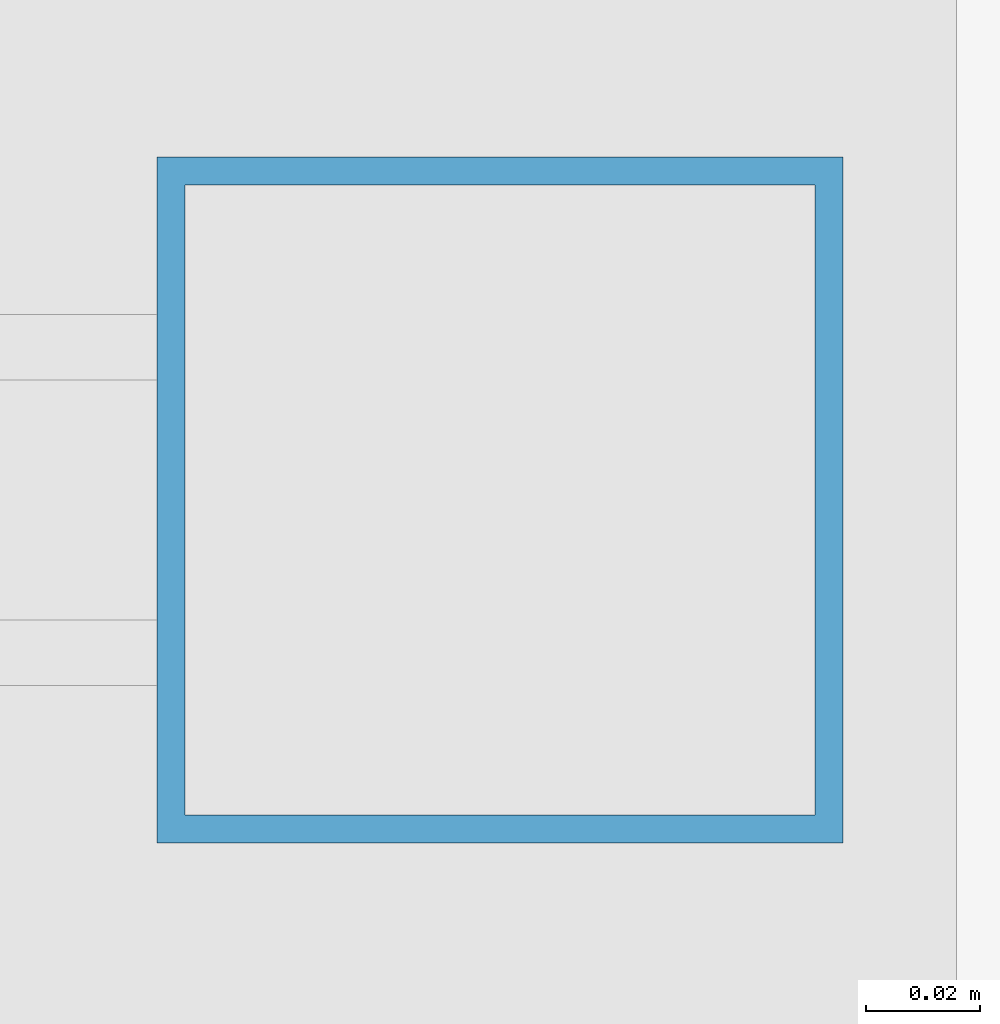
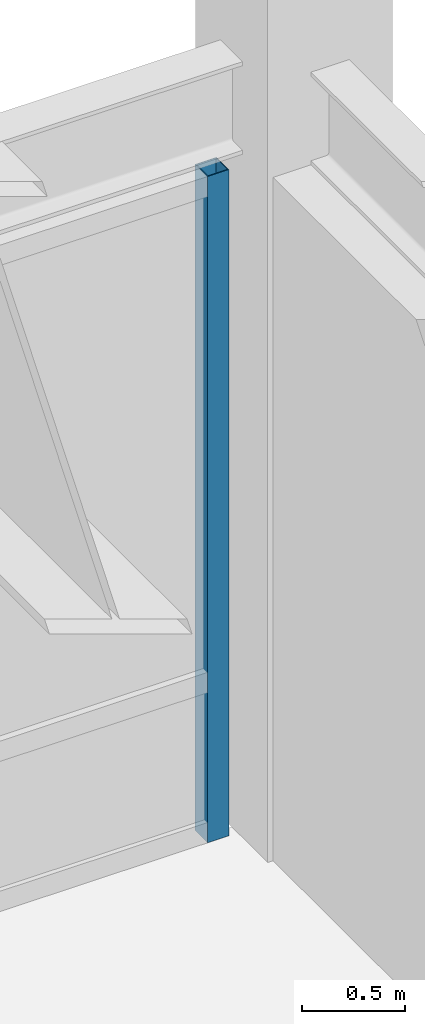
# One storey, part 22 of 29: 1 member, 1 element without a shape of its own.
"""IFC4 building model written with IfcOpenShell, lengths in metres."""

from ifc_helpers import new_model, si_unit, direction, frame, origin, origin_2d, place, context, subcontext, project, spatial, hollow_rectangle, extrude, source, transform, mapped, material, material_profile, profile_set, type_object, element, aggregate, save


model = new_model("IFC4")

# Units and contexts
model_context = context("Model", 3, precision=1e-05, world=origin(), true_north=direction((0.0, 1.0)))
body_context = subcontext(model_context, "Body", "Model", "MODEL_VIEW")
ifc_project = project(units=[si_unit("LENGTHUNIT", "METRE"), si_unit("AREAUNIT", "SQUARE_METRE"), si_unit("VOLUMEUNIT", "CUBIC_METRE"), si_unit("PLANEANGLEUNIT", "RADIAN"), si_unit("MASSUNIT", "GRAM", prefix="KILO")], contexts=[model_context])

# Site, building, storey
site_placement = place(None, origin())
site = spatial("IfcSite", under=ifc_project, at=site_placement, CompositionType="ELEMENT")
building_placement = place(site_placement, origin())
building = spatial("IfcBuilding", under=site, at=building_placement, Name="Khorayat Bourse Tower", CompositionType="ELEMENT")
storey_placement = place(building_placement, frame((0.0, 0.0, 370.300048828125)))
storey = spatial("IfcBuildingStorey", under=building, at=storey_placement, Name="L88", CompositionType="ELEMENT", Elevation=370.300048828125)

# Curtain wall, member
ifc_material = material(Name="Aluminium EN AW-6063 T6", Category="aluminium")
curtain_wall_type = type_object("IfcCurtainWallType", Name="CW-SYS-04", PredefinedType="NOTDEFINED", material=ifc_material)
curtain_wall_placement = place(storey_placement, origin())
curtain_wall = element("IfcCurtainWall", 1, at=curtain_wall_placement, inside=storey, type_object=curtain_wall_type, Name="L88 Curtain Wall CW-L88-N1", PredefinedType="NOTDEFINED")
ifc_material_profile = material_profile(ifc_material, hollow_rectangle(XDim=0.1201171875, YDim=0.1201171875, WallThickness=0.0048828125, at=origin_2d()), Name="ALU 120x120x5")
ifc_profile_set = profile_set([ifc_material_profile], Name="Aluminium EN AW-6063 T6")
member_type = type_object("IfcMemberType", Name="CWM-VERT-120", PredefinedType="MULLION", material=ifc_profile_set)
shared_shape = source(origin(), body_context, "Body", "SweptSolid", [
    extrude(hollow_rectangle(XDim=0.1201171875, YDim=0.1201171875, WallThickness=0.0048828125, at=origin_2d()), origin(), (0.0, 0.0, 1.0), 3.949951171875),
])
member_placement = place(storey_placement, frame((19.5400390625, 26.0, 0.0), z_axis=(0.0, 0.0, 1.0), x_axis=(0.0, 1.0, 0.0)))
member = element("IfcMember", 2, at=member_placement, type_object=member_type, Name="CW-L88-N1 Vertical Mullion 3", PredefinedType="MULLION", context=body_context, shape_type="MappedRepresentation", body=[
    mapped(shared_shape, transform((0.0, 0.0, 0.0), scale=1.0)),
])
aggregate(curtain_wall, [member])

save(model, "model.ifc")
